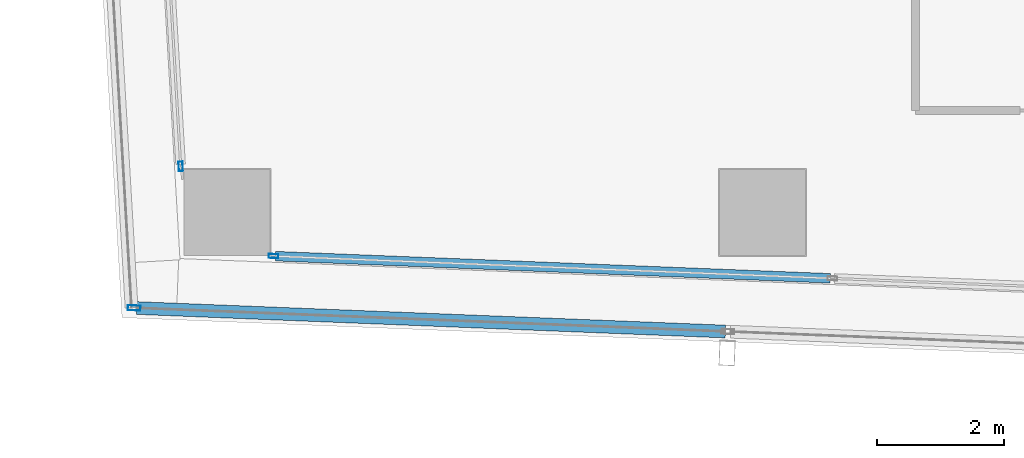
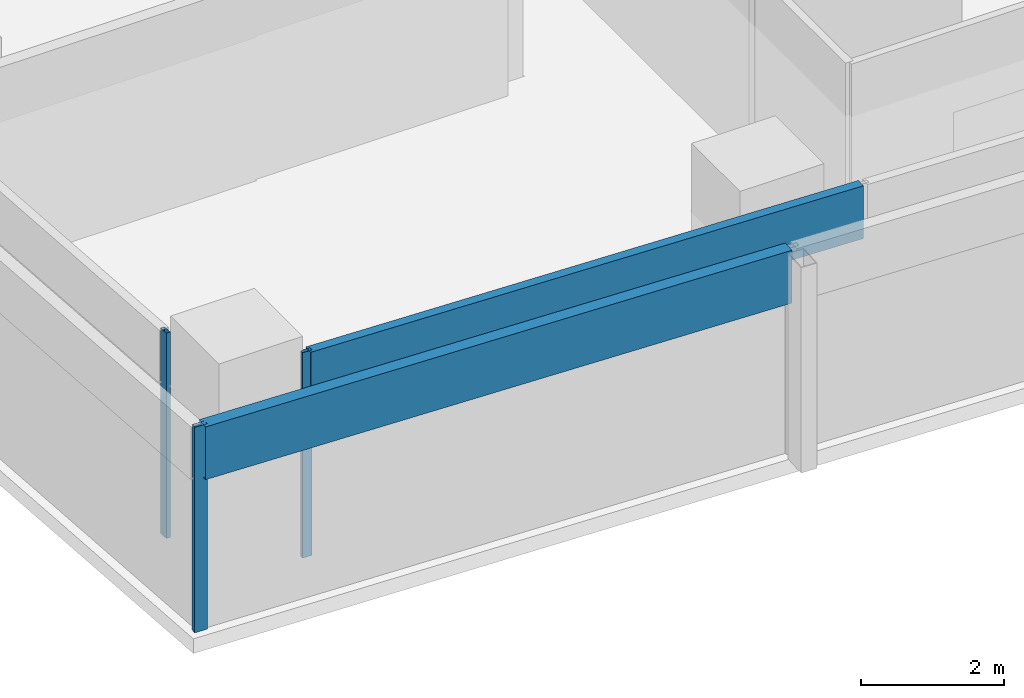
# One storey, part 2 of 35: 5 members, 3 elements without a shape of their own.
"""IFC4 building model written with IfcOpenShell, lengths in metres."""

from ifc_helpers import new_model, si_unit, direction, frame, origin, origin_2d, place, context, subcontext, project, spatial, hollow_rectangle, extrude, material, material_profile, profile_set, type_object, element, aggregate, save


model = new_model("IFC4")

# Units and contexts
model_context = context("Model", 3, precision=1e-05, world=origin(), true_north=direction((0.0, 1.0)))
body_context = subcontext(model_context, "Body", "Model", "MODEL_VIEW")
ifc_project = project(units=[si_unit("LENGTHUNIT", "METRE"), si_unit("AREAUNIT", "SQUARE_METRE"), si_unit("VOLUMEUNIT", "CUBIC_METRE"), si_unit("PLANEANGLEUNIT", "RADIAN"), si_unit("MASSUNIT", "GRAM", prefix="KILO")], contexts=[model_context])

# Site, building, storey
site_placement = place(None, origin())
site = spatial("IfcSite", under=ifc_project, at=site_placement, CompositionType="ELEMENT")
building_placement = place(site_placement, origin())
building = spatial("IfcBuilding", under=site, at=building_placement, Name="Rekha Terrace Tower", CompositionType="ELEMENT")
storey_placement = place(building_placement, frame((0.0, 0.0, 191.449951171875)))
storey = spatial("IfcBuildingStorey", under=building, at=storey_placement, Name="L48", CompositionType="ELEMENT", Elevation=191.449951171875)

# Curtain wall, member
ifc_material_1 = material(Name="Aluminium framing", Category="aluminium")
curtain_wall_type_1 = type_object("IfcCurtainWallType", Name="CW1 double skin inner glazing", PredefinedType="USERDEFINED", material=ifc_material_1)
curtain_wall_1_placement = place(storey_placement, origin())
curtain_wall_1 = element("IfcCurtainWall", 1, at=curtain_wall_1_placement, inside=storey, type_object=curtain_wall_type_1, Name="CW1 double skin inner glazing", ObjectType="DOUBLE SKIN INNER GLAZING", PredefinedType="USERDEFINED")
ifc_material_2 = material(Name="Aluminium mullion section", Category="aluminium")
ifc_material_profile_1 = material_profile(ifc_material_2, hollow_rectangle(XDim=0.06494140625, YDim=0.14990234375, WallThickness=0.00390625, at=origin_2d()), Name="AL RHS 65x150")
ifc_profile_set_1 = profile_set([ifc_material_profile_1], Name="Aluminium mullion section")
member_type_1 = type_object("IfcMemberType", Name="CW1 mullion RHS 65 x 150", PredefinedType="MULLION", material=ifc_profile_set_1)
member_1_placement = place(storey_placement, frame((9.127197265625, 16.115966796875, 0.0), z_axis=(0.0, 0.0, 1.0), x_axis=(0.039872497061, 0.999204775798, 0.0)))
member_1 = element("IfcMember", 2, at=member_1_placement, type_object=member_type_1, Name="CW1 mullion 1", PredefinedType="MULLION", context=body_context, shape_type="SweptSolid", body=[
    extrude(hollow_rectangle(XDim=0.06494140625, YDim=0.14990234375, WallThickness=0.00390625, at=origin_2d()), origin(), (0.0, 0.0, 1.0), 3.5),
])

curtain_wall_2_placement = place(storey_placement, origin())
curtain_wall_2 = element("IfcCurtainWall", 3, at=curtain_wall_2_placement, inside=storey, type_object=curtain_wall_type_1, Name="CW1 double skin inner glazing", ObjectType="DOUBLE SKIN INNER GLAZING", PredefinedType="USERDEFINED")
member_2_placement = place(storey_placement, frame((7.672119140625, 17.5244140625, 0.0), z_axis=(0.0, 0.0, 1.0), x_axis=(0.998271839274, 0.058765082429, 0.0)))
member_2 = element("IfcMember", 4, at=member_2_placement, type_object=member_type_1, Name="CW1 mullion 2", PredefinedType="MULLION", context=body_context, shape_type="SweptSolid", body=[
    extrude(hollow_rectangle(XDim=0.06494140625, YDim=0.14990234375, WallThickness=0.00390625, at=origin_2d()), origin(), (0.0, 0.0, 1.0), 3.5),
])
aggregate(curtain_wall_2, [member_2])

# Member
ifc_material_3 = material(Name="Insulated aluminium spandrel box", Category="aluminium")
ifc_material_profile_2 = material_profile(ifc_material_3, hollow_rectangle(XDim=0.14990234375, YDim=0.89990234375, WallThickness=0.0029296875, at=origin_2d()), Name="AL SPANDREL BOX 150x900")
ifc_profile_set_2 = profile_set([ifc_material_profile_2], Name="Insulated aluminium spandrel box")
member_type_2 = type_object("IfcMemberType", Name="CW1 spandrel transom 150 x 900", PredefinedType="USERDEFINED", material=ifc_profile_set_2)
member_3_placement = place(storey_placement, frame((9.15966796875, 16.11474609375, 3.050048828125), z_axis=(0.999204892499, -0.039869572443, 0.0), x_axis=(0.039869572443, 0.999204892499, 0.0)))
member_3 = element("IfcMember", 5, at=member_3_placement, type_object=member_type_2, Name="CW1 spandrel transom 1", ObjectType="TRANSOM", PredefinedType="USERDEFINED", context=body_context, shape_type="SweptSolid", body=[
    extrude(hollow_rectangle(XDim=0.14990234375, YDim=0.89990234375, WallThickness=0.0029296875, at=origin_2d()), origin(), (0.0, 0.0, 1.0), 8.713623046875),
])

aggregate(curtain_wall_1, [member_1, member_3])

# Curtain wall, members
curtain_wall_type_2 = type_object("IfcCurtainWallType", Name="CW2 double skin outer glazing", PredefinedType="USERDEFINED", material=ifc_material_1)
curtain_wall_3_placement = place(storey_placement, origin())
curtain_wall_3 = element("IfcCurtainWall", 6, at=curtain_wall_3_placement, inside=storey, type_object=curtain_wall_type_2, Name="CW2 double skin outer glazing", ObjectType="DOUBLE SKIN OUTER GLAZING", PredefinedType="USERDEFINED")
ifc_material_profile_3 = material_profile(ifc_material_2, hollow_rectangle(XDim=0.080078125, YDim=0.199951171875, WallThickness=0.00390625, at=origin_2d()), Name="AL RHS 80x200")
ifc_profile_set_3 = profile_set([ifc_material_profile_3], Name="Aluminium mullion section")
member_type_3 = type_object("IfcMemberType", Name="CW2 mullion RHS 80 x 200", PredefinedType="MULLION", material=ifc_profile_set_3)
member_4_placement = place(storey_placement, frame((6.941162109375, 15.302490234375, 0.0), z_axis=(0.0, 0.0, 1.0), x_axis=(0.039872497044, 0.999204775799, 0.0)))
member_4 = element("IfcMember", 7, at=member_4_placement, type_object=member_type_3, Name="CW2 mullion 1", PredefinedType="MULLION", context=body_context, shape_type="SweptSolid", body=[
    extrude(hollow_rectangle(XDim=0.080078125, YDim=0.199951171875, WallThickness=0.00390625, at=origin_2d()), origin(), (0.0, 0.0, 1.0), 3.5),
])
ifc_material_profile_4 = material_profile(ifc_material_3, hollow_rectangle(XDim=0.199951171875, YDim=0.89990234375, WallThickness=0.0029296875, at=origin_2d()), Name="AL SPANDREL BOX 200x900")
ifc_profile_set_4 = profile_set([ifc_material_profile_4], Name="Insulated aluminium spandrel box")
member_type_4 = type_object("IfcMemberType", Name="CW2 spandrel transom 200 x 900", PredefinedType="USERDEFINED", material=ifc_profile_set_4)
member_5_placement = place(storey_placement, frame((6.981201171875, 15.301025390625, 3.050048828125), z_axis=(0.999203782278, -0.039897386899, 0.0), x_axis=(0.039897386899, 0.999203782278, 0.0)))
member_5 = element("IfcMember", 8, at=member_5_placement, type_object=member_type_4, Name="CW2 spandrel transom 1", ObjectType="TRANSOM", PredefinedType="USERDEFINED", context=body_context, shape_type="SweptSolid", body=[
    extrude(hollow_rectangle(XDim=0.199951171875, YDim=0.89990234375, WallThickness=0.0029296875, at=origin_2d()), origin(), (0.0, 0.0, 1.0), 9.24609375),
])
aggregate(curtain_wall_3, [member_4, member_5])

save(model, "model.ifc")
